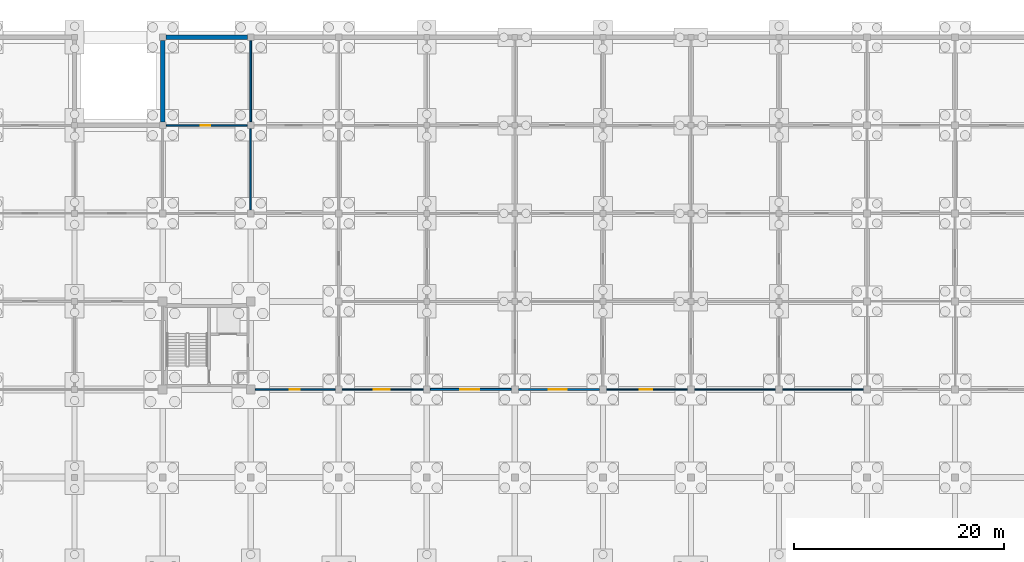
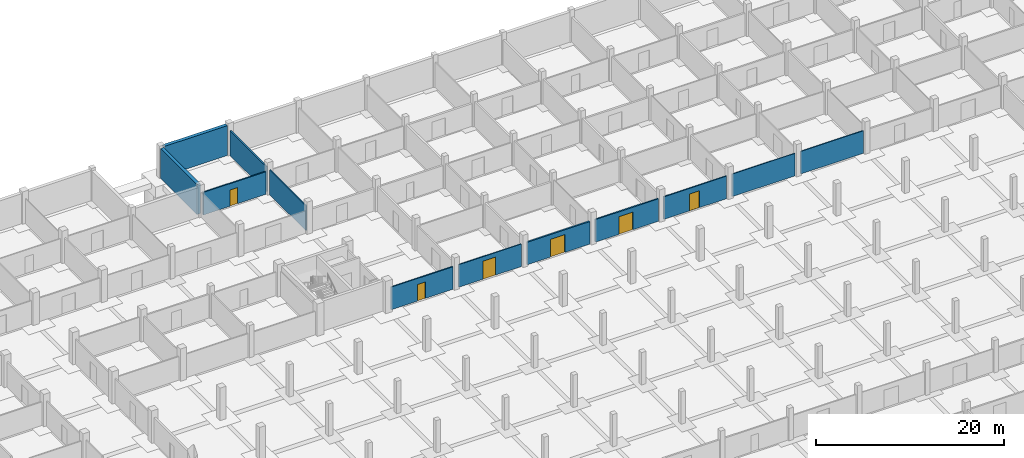
# One storey, part 28 of 43: 12 walls, 6 doors, 6 openings.
"""IFC4 building model written with IfcOpenShell, lengths in metres."""

from ifc_helpers import new_model, si_unit, direction, frame, frame_2d, origin, place, context, subcontext, project, spatial, rectangle, extrude, material, layer, layer_set, type_object, element, fill, save


model = new_model("IFC4")

# Units and contexts
model_context = context("Model", 3, precision=1e-05, world=origin(), true_north=direction((0.0, 1.0)))
body_context = subcontext(model_context, "Body", "Model", "MODEL_VIEW")
ifc_project = project(units=[si_unit("LENGTHUNIT", "METRE"), si_unit("AREAUNIT", "SQUARE_METRE"), si_unit("VOLUMEUNIT", "CUBIC_METRE"), si_unit("PLANEANGLEUNIT", "RADIAN"), si_unit("MASSUNIT", "GRAM", prefix="KILO")], contexts=[model_context])

# Site, building, storey
site_placement = place(None, origin())
site = spatial("IfcSite", under=ifc_project, at=site_placement, CompositionType="ELEMENT")
building_placement = place(site_placement, origin())
building = spatial("IfcBuilding", under=site, at=building_placement, Name="Varnapada Polytechnic", CompositionType="ELEMENT")
storey_placement = place(building_placement, frame((0.0, 0.0, -4.199951171875)))
storey = spatial("IfcBuildingStorey", under=building, at=storey_placement, Name="B1", CompositionType="ELEMENT", Elevation=-4.199951171875)

# Wall
ifc_material_1 = material(Name="Moisture-Resistant Cement Board Partition")
ifc_layer_1 = layer(ifc_material_1, 0.139892578125)
ifc_layer_set_1 = layer_set([ifc_layer_1], Name="Moisture-Resistant Cement Board Partition")
wall_type_1 = type_object("IfcWallType", Name="Interior Wall IW-04", PredefinedType="PARTITIONING", material=ifc_layer_set_1)
wall_1_placement = place(storey_placement, frame((58.800048828125, 109.544921875, 0.0), z_axis=(0.0, 0.0, 1.0), x_axis=(0.0, 1.0, 0.0)))
element("IfcWall", 1, at=wall_1_placement, inside=storey, type_object=wall_type_1, Name="B1 interior partition IW-B1-06-13-V", PredefinedType="PARTITIONING", context=body_context, shape_type="SweptSolid", body=[
    extrude(rectangle(XDim=7.7099609375, YDim=0.139892578125, at=frame_2d((3.85498046875, 0.0))), origin(), (0.0, 0.0, 1.0), 3.22998046875),
])

# Wall, opening, door
ifc_material_2 = material(Name="Cross-laminated timber CLT C24", Category="wood")
ifc_layer_2 = layer(ifc_material_2, 0.159912109375)
ifc_layer_set_2 = layer_set([ifc_layer_2], Name="Cross-laminated timber CLT C24")
wall_type_2 = type_object("IfcWallType", Name="Interior Wall IW-05", PredefinedType="PARTITIONING", material=ifc_layer_set_2)
wall_2_placement = place(storey_placement, frame((50.7451171875, 117.60009765625, 0.0), z_axis=(0.0, 0.0, 1.0), x_axis=(1.0, 0.0, 0.0)))
wall_2 = element("IfcWall", 2, at=wall_2_placement, inside=storey, type_object=wall_type_2, Name="B1 interior partition IW-B1-06-13-H", PredefinedType="PARTITIONING", context=body_context, shape_type="SweptSolid", body=[
    extrude(rectangle(XDim=7.7099609375, YDim=0.159912109375, at=frame_2d((3.85498046875, 0.0))), origin(), (0.0, 0.0, 1.0), 2.929931640625),
])
opening_1_placement = place(wall_2_placement, frame((3.300048828125, 0.0, 0.0)))
opening_1 = element("IfcOpeningElement", 3, at=opening_1_placement, cuts=wall_2, Name="Opening D-676", PredefinedType="OPENING", context=body_context, shape_type="SweptSolid", body=[
    extrude(rectangle(XDim=0.89990234375, YDim=2.10009765625, at=frame_2d((0.449951171875, 1.050048828125))), frame((0.0, 0.08984375, 0.0), z_axis=(0.0, -1.0, 0.0), x_axis=(1.0, 0.0, 0.0)), (0.0, 0.0, 1.0), 0.179931640625),
])
ifc_material_3 = material(Name="Moisture-Resistant HPL Timber", Category="wood")
door_type_1 = type_object("IfcDoorType", Name="Interior Door ID-15", OperationType="NOTDEFINED", PredefinedType="DOOR", material=ifc_material_3)
door_1_placement = place(opening_1_placement, origin())
door_1 = element("IfcDoor", 4, at=door_1_placement, inside=storey, type_object=door_type_1, Name="B1 interior room door D-676", OperationType="SINGLE_SWING_LEFT", OverallHeight=2.10009765625, OverallWidth=0.89990234375, PredefinedType="DOOR", context=body_context, shape_type="SweptSolid", body=[
    extrude(rectangle(XDim=0.89990234375, YDim=2.10009765625, at=frame_2d((0.449951171875, 1.050048828125))), frame((0.0, 0.02490234375, 0.0), z_axis=(0.0, -1.0, 0.0), x_axis=(1.0, 0.0, 0.0)), (0.0, 0.0, 1.0), 0.050048828125),
])
fill(opening_1, door_1)

# Walls
ifc_material_4 = material(Name="Acoustic Double-Stud Studio Partition")
ifc_layer_3 = layer(ifc_material_4, 0.179931640625)
ifc_layer_set_3 = layer_set([ifc_layer_3], Name="Acoustic Double-Stud Studio Partition")
wall_type_3 = type_object("IfcWallType", Name="Interior Wall IW-06", PredefinedType="PARTITIONING", material=ifc_layer_set_3)
wall_3_placement = place(storey_placement, frame((58.800048828125, 117.945068359375, 0.0), z_axis=(0.0, 0.0, 1.0), x_axis=(0.0, 1.0, 0.0)))
element("IfcWall", 5, at=wall_3_placement, inside=storey, type_object=wall_type_3, Name="B1 interior partition IW-B1-06-14-V", PredefinedType="PARTITIONING", context=body_context, shape_type="SweptSolid", body=[
    extrude(rectangle(XDim=7.7099609375, YDim=0.179931640625, at=frame_2d((3.85498046875, 0.0))), origin(), (0.0, 0.0, 1.0), 3.22998046875),
])
ifc_material_5 = material(Name="Glazed Timber-Framed Studio Screen", Category="wood")
ifc_layer_4 = layer(ifc_material_5, 0.110107421875)
ifc_layer_set_4 = layer_set([ifc_layer_4], Name="Glazed Timber-Framed Studio Screen")
wall_type_4 = type_object("IfcWallType", Name="Interior Wall IW-07", PredefinedType="PARTITIONING", material=ifc_layer_set_4)
wall_4_placement = place(storey_placement, frame((109.544921875, 92.39990234375, 0.0), z_axis=(0.0, 0.0, 1.0), x_axis=(1.0, 0.0, 0.0)))
element("IfcWall", 6, at=wall_4_placement, inside=storey, type_object=wall_type_4, Name="B1 interior partition IW-B1-13-10-H", PredefinedType="PARTITIONING", context=body_context, shape_type="SweptSolid", body=[
    extrude(rectangle(XDim=7.7099609375, YDim=0.110107421875, at=frame_2d((3.85498046875, 0.0))), origin(), (0.0, 0.0, 1.0), 2.929931640625),
])
ifc_material_6 = material(Name="Operable Acoustic Seminar Partition")
ifc_layer_5 = layer(ifc_material_6, 0.10009765625)
ifc_layer_set_5 = layer_set([ifc_layer_5], Name="Operable Acoustic Seminar Partition")
wall_type_5 = type_object("IfcWallType", Name="Interior Wall IW-08", PredefinedType="MOVABLE", material=ifc_layer_set_5)
wall_5_placement = place(storey_placement, frame((101.14501953125, 92.39990234375, 0.0), z_axis=(0.0, 0.0, 1.0), x_axis=(1.0, 0.0, 0.0)))
element("IfcWall", 7, at=wall_5_placement, inside=storey, type_object=wall_type_5, Name="B1 interior partition IW-B1-12-10-H", PredefinedType="MOVABLE", context=body_context, shape_type="SweptSolid", body=[
    extrude(rectangle(XDim=7.7099609375, YDim=0.10009765625, at=frame_2d((3.85498046875, 0.0))), origin(), (0.0, 0.0, 1.0), 2.929931640625),
])

# Wall, opening, door
ifc_material_7 = material(Name="Calcium Silicate Acoustic Lab Partition")
ifc_layer_6 = layer(ifc_material_7, 0.135009765625)
ifc_layer_set_6 = layer_set([ifc_layer_6], Name="Calcium Silicate Acoustic Lab Partition")
wall_type_6 = type_object("IfcWallType", Name="Interior Wall IW-09", PredefinedType="PARTITIONING", material=ifc_layer_set_6)
wall_6_placement = place(storey_placement, frame((92.7451171875, 92.39990234375, 0.0), z_axis=(0.0, 0.0, 1.0), x_axis=(1.0, 0.0, 0.0)))
wall_6 = element("IfcWall", 8, at=wall_6_placement, inside=storey, type_object=wall_type_6, Name="B1 interior partition IW-B1-11-10-H", PredefinedType="PARTITIONING", context=body_context, shape_type="SweptSolid", body=[
    extrude(rectangle(XDim=7.7099609375, YDim=0.135009765625, at=frame_2d((3.85498046875, 0.0))), origin(), (0.0, 0.0, 1.0), 2.929931640625),
])
opening_2_placement = place(wall_6_placement, frame((3.14990234375, 0.0, 0.0)))
opening_2 = element("IfcOpeningElement", 9, at=opening_2_placement, cuts=wall_6, Name="Opening D-717", PredefinedType="OPENING", context=body_context, shape_type="SweptSolid", body=[
    extrude(rectangle(XDim=1.199951171875, YDim=2.199951171875, at=frame_2d((0.60009765625, 1.10009765625))), frame((0.0, 0.077392578125, 0.0), z_axis=(0.0, -1.0, 0.0), x_axis=(1.0, 0.0, 0.0)), (0.0, 0.0, 1.0), 0.155029296875),
])
ifc_material_8 = material(Name="Solid Teak Hardwood Timber", Category="wood")
door_type_2 = type_object("IfcDoorType", Name="Interior Door ID-05", OperationType="NOTDEFINED", PredefinedType="DOOR", material=ifc_material_8)
door_2_placement = place(opening_2_placement, origin())
door_2 = element("IfcDoor", 10, at=door_2_placement, inside=storey, type_object=door_type_2, Name="B1 interior room door D-717", OperationType="SINGLE_SWING_RIGHT", OverallHeight=2.199951171875, OverallWidth=1.199951171875, PredefinedType="DOOR", context=body_context, shape_type="SweptSolid", body=[
    extrude(rectangle(XDim=1.199951171875, YDim=2.199951171875, at=frame_2d((0.60009765625, 1.10009765625))), frame((0.0, 0.02490234375, 0.0), z_axis=(0.0, -1.0, 0.0), x_axis=(1.0, 0.0, 0.0)), (0.0, 0.0, 1.0), 0.050048828125),
])
fill(opening_2, door_2)

ifc_material_9 = material(Name="Double-Layer Fireboard Workshop Wall")
ifc_layer_7 = layer(ifc_material_9, 0.169921875)
ifc_layer_set_7 = layer_set([ifc_layer_7], Name="Double-Layer Fireboard Workshop Wall")
wall_type_7 = type_object("IfcWallType", Name="Interior Wall IW-10", PredefinedType="PARTITIONING", material=ifc_layer_set_7)
wall_7_placement = place(storey_placement, frame((84.344970703125, 92.39990234375, 0.0), z_axis=(0.0, 0.0, 1.0), x_axis=(1.0, 0.0, 0.0)))
wall_7 = element("IfcWall", 11, at=wall_7_placement, inside=storey, type_object=wall_type_7, Name="B1 interior partition IW-B1-10-10-H", PredefinedType="PARTITIONING", context=body_context, shape_type="SweptSolid", body=[
    extrude(rectangle(XDim=7.7099609375, YDim=0.169921875, at=frame_2d((3.85498046875, 0.0))), origin(), (0.0, 0.0, 1.0), 2.929931640625),
])
opening_3_placement = place(wall_7_placement, frame((2.89990234375, 0.0, 0.0)))
opening_3 = element("IfcOpeningElement", 12, at=opening_3_placement, cuts=wall_7, Name="Opening D-708", PredefinedType="OPENING", context=body_context, shape_type="SweptSolid", body=[
    extrude(rectangle(XDim=1.699951171875, YDim=2.300048828125, at=frame_2d((0.85009765625, 1.14990234375))), frame((0.0, 0.094970703125, 0.0), z_axis=(0.0, -1.0, 0.0), x_axis=(1.0, 0.0, 0.0)), (0.0, 0.0, 1.0), 0.18994140625),
])
ifc_material_10 = material(Name="Acoustic Double Timber Leaf", Category="wood")
door_type_3 = type_object("IfcDoorType", Name="Interior Door ID-13", OperationType="NOTDEFINED", PredefinedType="DOOR", material=ifc_material_10)
door_3_placement = place(opening_3_placement, origin())
door_3 = element("IfcDoor", 13, at=door_3_placement, inside=storey, type_object=door_type_3, Name="B1 interior room door D-708", OperationType="SINGLE_SWING_LEFT", OverallHeight=2.300048828125, OverallWidth=1.699951171875, PredefinedType="DOOR", context=body_context, shape_type="SweptSolid", body=[
    extrude(rectangle(XDim=1.699951171875, YDim=2.300048828125, at=frame_2d((0.85009765625, 1.14990234375))), frame((0.0, 0.02490234375, 0.0), z_axis=(0.0, -1.0, 0.0), x_axis=(1.0, 0.0, 0.0)), (0.0, 0.0, 1.0), 0.050048828125),
])
fill(opening_3, door_3)

ifc_material_11 = material(Name="Insulated Masonry Plant Room Wall", Category="masonry")
ifc_layer_8 = layer(ifc_material_11, 0.18994140625)
ifc_layer_set_8 = layer_set([ifc_layer_8], Name="Insulated Masonry Plant Room Wall")
wall_type_8 = type_object("IfcWallType", Name="Interior Wall IW-11", PredefinedType="PARTITIONING", material=ifc_layer_set_8)
wall_8_placement = place(storey_placement, frame((75.945068359375, 92.39990234375, 0.0), z_axis=(0.0, 0.0, 1.0), x_axis=(1.0, 0.0, 0.0)))
wall_8 = element("IfcWall", 14, at=wall_8_placement, inside=storey, type_object=wall_type_8, Name="B1 interior partition IW-B1-09-10-H", PredefinedType="PARTITIONING", context=body_context, shape_type="SweptSolid", body=[
    extrude(rectangle(XDim=7.7099609375, YDim=0.18994140625, at=frame_2d((3.85498046875, 0.0))), origin(), (0.0, 0.0, 1.0), 2.929931640625),
])
opening_4_placement = place(wall_8_placement, frame((2.85009765625, 0.0, 0.0)))
opening_4 = element("IfcOpeningElement", 15, at=opening_4_placement, cuts=wall_8, Name="Opening D-699", PredefinedType="OPENING", context=body_context, shape_type="SweptSolid", body=[
    extrude(rectangle(XDim=1.800048828125, YDim=2.300048828125, at=frame_2d((0.89990234375, 1.14990234375))), frame((0.0, 0.10498046875, 0.0), z_axis=(0.0, -1.0, 0.0), x_axis=(1.0, 0.0, 0.0)), (0.0, 0.0, 1.0), 0.2099609375),
])
door_type_4 = type_object("IfcDoorType", Name="Interior Door ID-04", OperationType="NOTDEFINED", PredefinedType="DOOR", material=ifc_material_10)
door_4_placement = place(opening_4_placement, origin())
door_4 = element("IfcDoor", 16, at=door_4_placement, inside=storey, type_object=door_type_4, Name="B1 interior room door D-699", OperationType="SINGLE_SWING_RIGHT", OverallHeight=2.300048828125, OverallWidth=1.800048828125, PredefinedType="DOOR", context=body_context, shape_type="SweptSolid", body=[
    extrude(rectangle(XDim=1.800048828125, YDim=2.300048828125, at=frame_2d((0.89990234375, 1.14990234375))), frame((0.0, 0.02490234375, 0.0), z_axis=(0.0, -1.0, 0.0), x_axis=(1.0, 0.0, 0.0)), (0.0, 0.0, 1.0), 0.050048828125),
])
fill(opening_4, door_4)

ifc_material_12 = material(Name="Timber-Stud Studio Critique Partition", Category="wood")
ifc_layer_9 = layer(ifc_material_12, 0.114990234375)
ifc_layer_set_9 = layer_set([ifc_layer_9], Name="Timber-Stud Studio Critique Partition")
wall_type_9 = type_object("IfcWallType", Name="Interior Wall IW-12", PredefinedType="PARTITIONING", material=ifc_layer_set_9)
wall_9_placement = place(storey_placement, frame((67.544921875, 92.39990234375, 0.0), z_axis=(0.0, 0.0, 1.0), x_axis=(1.0, 0.0, 0.0)))
wall_9 = element("IfcWall", 17, at=wall_9_placement, inside=storey, type_object=wall_type_9, Name="B1 interior partition IW-B1-08-10-H", PredefinedType="PARTITIONING", context=body_context, shape_type="SweptSolid", body=[
    extrude(rectangle(XDim=7.7099609375, YDim=0.114990234375, at=frame_2d((3.85498046875, 0.0))), origin(), (0.0, 0.0, 1.0), 2.929931640625),
])
opening_5_placement = place(wall_9_placement, frame((2.97509765625, 0.0, 0.0)))
opening_5 = element("IfcOpeningElement", 18, at=opening_5_placement, cuts=wall_9, Name="Opening D-690", PredefinedType="OPENING", context=body_context, shape_type="SweptSolid", body=[
    extrude(rectangle(XDim=1.550048828125, YDim=2.35009765625, at=frame_2d((0.77490234375, 1.175048828125))), frame((0.0, 0.0673828125, 0.0), z_axis=(0.0, -1.0, 0.0), x_axis=(1.0, 0.0, 0.0)), (0.0, 0.0, 1.0), 0.135009765625),
])
ifc_material_13 = material(Name="Galvanized Steel Z275", Category="steel")
door_type_5 = type_object("IfcDoorType", Name="Interior Door ID-12", OperationType="NOTDEFINED", PredefinedType="DOOR", material=ifc_material_13)
door_5_placement = place(opening_5_placement, origin())
door_5 = element("IfcDoor", 19, at=door_5_placement, inside=storey, type_object=door_type_5, Name="B1 interior room door D-690", OperationType="SINGLE_SWING_LEFT", OverallHeight=2.35009765625, OverallWidth=1.550048828125, PredefinedType="DOOR", context=body_context, shape_type="SweptSolid", body=[
    extrude(rectangle(XDim=1.550048828125, YDim=2.35009765625, at=frame_2d((0.77490234375, 1.175048828125))), frame((0.0, 0.02490234375, 0.0), z_axis=(0.0, -1.0, 0.0), x_axis=(1.0, 0.0, 0.0)), (0.0, 0.0, 1.0), 0.050048828125),
])
fill(opening_5, door_5)

ifc_material_14 = material(Name="Ceramic-Tiled Wet Laboratory Wall")
ifc_layer_10 = layer(ifc_material_14, 0.14501953125)
ifc_layer_set_10 = layer_set([ifc_layer_10], Name="Ceramic-Tiled Wet Laboratory Wall")
wall_type_10 = type_object("IfcWallType", Name="Interior Wall IW-14", PredefinedType="PARTITIONING", material=ifc_layer_set_10)
wall_10_placement = place(storey_placement, frame((59.2451171875, 92.39990234375, 0.0), z_axis=(0.0, 0.0, 1.0), x_axis=(1.0, 0.0, 0.0)))
wall_10 = element("IfcWall", 20, at=wall_10_placement, inside=storey, type_object=wall_type_10, Name="B1 interior partition IW-B1-07-10-H", PredefinedType="PARTITIONING", context=body_context, shape_type="SweptSolid", body=[
    extrude(rectangle(XDim=7.60986328125, YDim=0.14501953125, at=frame_2d((3.804931640625, 0.0))), origin(), (0.0, 0.0, 1.0), 2.929931640625),
])
opening_6_placement = place(wall_10_placement, frame((3.27490234375, 0.0, 0.0)))
opening_6 = element("IfcOpeningElement", 21, at=opening_6_placement, cuts=wall_10, Name="Opening D-681", PredefinedType="OPENING", context=body_context, shape_type="SweptSolid", body=[
    extrude(rectangle(XDim=0.949951171875, YDim=2.14990234375, at=frame_2d((0.47509765625, 1.074951171875))), frame((0.0, 0.08251953125, 0.0), z_axis=(0.0, -1.0, 0.0), x_axis=(1.0, 0.0, 0.0)), (0.0, 0.0, 1.0), 0.1650390625),
])
door_type_6 = type_object("IfcDoorType", Name="Interior Door ID-03", OperationType="NOTDEFINED", PredefinedType="DOOR", material=ifc_material_3)
door_6_placement = place(opening_6_placement, origin())
door_6 = element("IfcDoor", 22, at=door_6_placement, inside=storey, type_object=door_type_6, Name="B1 interior room door D-681", OperationType="SINGLE_SWING_RIGHT", OverallHeight=2.14990234375, OverallWidth=0.949951171875, PredefinedType="DOOR", context=body_context, shape_type="SweptSolid", body=[
    extrude(rectangle(XDim=0.949951171875, YDim=2.14990234375, at=frame_2d((0.47509765625, 1.074951171875))), frame((0.0, 0.02490234375, 0.0), z_axis=(0.0, -1.0, 0.0), x_axis=(1.0, 0.0, 0.0)), (0.0, 0.0, 1.0), 0.050048828125),
])
fill(opening_6, door_6)

# Walls
ifc_material_15 = material(Name="Concrete C40/50", Category="concrete")
ifc_layer_11 = layer(ifc_material_15, 0.39990234375)
ifc_layer_set_11 = layer_set([ifc_layer_11], Name="Concrete C40/50")
wall_type_11 = type_object("IfcWallType", Name="Wall RW-01", PredefinedType="STANDARD", material=ifc_layer_set_11)
for number, where, z_axis, x_axis, name in (
    (23, (50.72509765625, 126.0, 0.0), (0.0, 0.0, 1.0), (1.0, 0.0, 0.0), "B1 perimeter retaining wall 32"),
    (24, (50.39990234375, 117.925048828125, 0.0), (0.0, 0.0, 1.0), (0.0, 1.0, 0.0), "B1 perimeter retaining wall 33"),
):
    element("IfcWall", number, at=place(storey_placement, frame(where, z_axis=z_axis, x_axis=x_axis)), inside=storey, type_object=wall_type_11, Name=name, PredefinedType="STANDARD", context=body_context, shape_type="SweptSolid", body=[
        extrude(rectangle(XDim=7.75, YDim=0.39990234375, at=frame_2d((3.875, 0.0))), origin(), (0.0, 0.0, 1.0), 3.8798828125),
    ])

save(model, "model.ifc")
